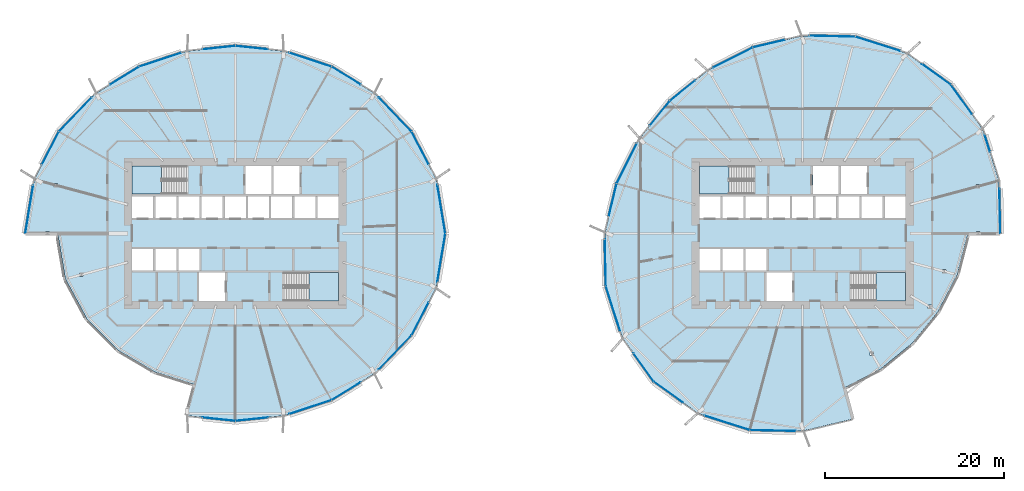
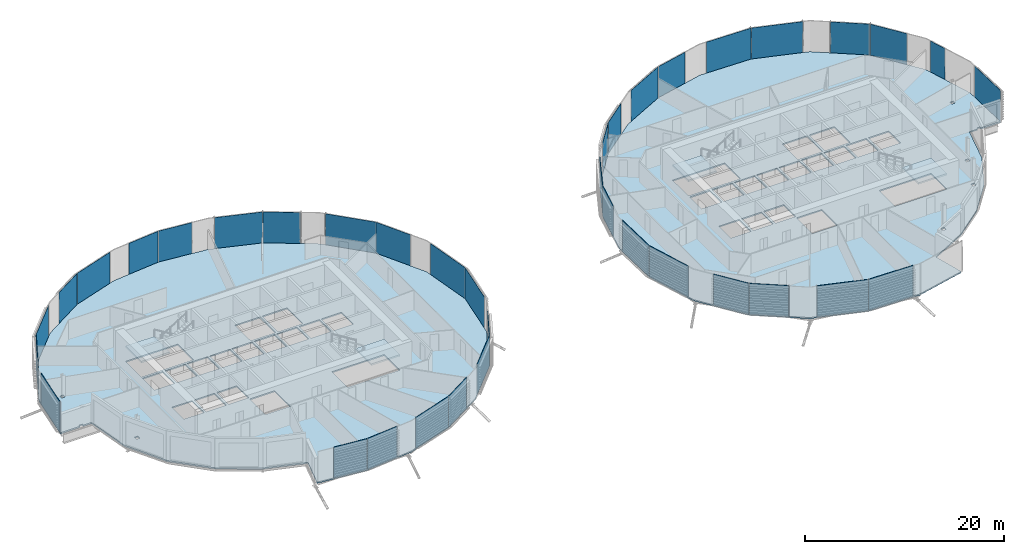
# One storey, part 19 of 38: 37 plates, 6 slabs, 6 elements without a shape of their own.
"""IFC4 building model written with IfcOpenShell, lengths in metres."""

from ifc_helpers import new_model, si_unit, direction, frame, origin, origin_2d, place, context, subcontext, project, spatial, polyline, rectangle, outline, extrude, material, layer, layer_set, type_object, element, aggregate, save


model = new_model("IFC4")

# Units and contexts
model_context = context("Model", 3, precision=1e-05, world=origin(), true_north=direction((0.0, 1.0)))
body_context = subcontext(model_context, "Body", "Model", "MODEL_VIEW")
ifc_project = project(units=[si_unit("LENGTHUNIT", "METRE"), si_unit("AREAUNIT", "SQUARE_METRE"), si_unit("VOLUMEUNIT", "CUBIC_METRE"), si_unit("PLANEANGLEUNIT", "RADIAN"), si_unit("MASSUNIT", "GRAM", prefix="KILO")], contexts=[model_context])

# Site, building, storey
site_placement = place(None, origin())
site = spatial("IfcSite", under=ifc_project, at=site_placement, CompositionType="ELEMENT")
building_placement = place(site_placement, origin())
building = spatial("IfcBuilding", under=site, at=building_placement, Name="Rimbun Link Towers", CompositionType="ELEMENT")
storey_placement = place(building_placement, frame((0.0, 0.0, 68.0)))
storey = spatial("IfcBuildingStorey", under=building, at=storey_placement, Name="L16", CompositionType="ELEMENT", Elevation=68.0)

# Slabs
ifc_material_1 = material(Name="Concrete C35/45", Category="concrete")
ifc_layer_1 = layer(ifc_material_1, 0.159912109375)
ifc_layer_set_1 = layer_set([ifc_layer_1], Name="COMPOSITE FLOOR 160")
slab_type_1 = type_object("IfcSlabType", Name="COMPOSITE FLOOR 160", PredefinedType="FLOOR", material=ifc_layer_set_1)
slab_1_placement = place(storey_placement, frame((0.0, 0.0, -0.159912109375)))
element("IfcSlab", 1, at=slab_1_placement, inside=storey, type_object=slab_type_1, Name="Floor slab T1 L16", PredefinedType="FLOOR", context=body_context, shape_type="SweptSolid", body=[
    extrude(outline(polyline([(-55.244384765625, 0.0), (-54.252685546875, 6.029541015625), (-51.47900390625, 11.390380859375), (-47.397705078125, 15.647705078125), (-42.514892578125, 18.6455078125), (-37.216552734375, 20.4013671875), (-31.75, 20.97705078125), (-26.283447265625, 20.4013671875), (-20.985107421875, 18.6455078125), (-16.102294921875, 15.647705078125), (-12.02099609375, 11.390380859375), (-9.247314453125, 6.029541015625), (-8.255615234375, 0.0), (-9.247314453125, -6.029541015625), (-12.02099609375, -11.390380859375), (-16.102294921875, -15.647705078125), (-20.985107421875, -18.6455078125), (-26.283447265625, -20.4013671875), (-31.75, -20.97705078125), (-37.216552734375, -20.4013671875), (-36.284912109375, -16.924072265625), (-40.715087890625, -15.52783203125), (-44.85205078125, -13.10205078125), (-48.361083984375, -9.590576171875), (-50.775390625, -5.097900390625), (-51.644287109375, 0.0), (-52.5751953125, 0.0), (-52.5751953125, 0.19677734375), (-52.974365234375, 0.19677734375), (-52.974365234375, 0.0), (-55.244384765625, 0.0)]), holes=[polyline([(-48.775390625, -4.812255859375), (-48.775390625, -4.418701171875), (-49.17431640625, -4.418701171875), (-49.17431640625, -4.812255859375), (-48.775390625, -4.812255859375)]), polyline([(-40.95556640625, -4.14990234375), (-40.95556640625, -1.75), (-43.300048828125, -1.75), (-43.300048828125, -4.14990234375), (-40.95556640625, -4.14990234375)]), polyline([(-38.361083984375, -4.14990234375), (-38.361083984375, -1.75), (-40.70556640625, -1.75), (-40.70556640625, -4.14990234375), (-38.361083984375, -4.14990234375)]), polyline([(-38.111083984375, -4.14990234375), (-35.7666015625, -4.14990234375), (-35.7666015625, -1.75), (-38.111083984375, -1.75), (-38.111083984375, -4.14990234375)]), polyline([(-40.95556640625, 1.75), (-40.95556640625, 4.14990234375), (-43.300048828125, 4.14990234375), (-43.300048828125, 1.75), (-40.95556640625, 1.75)]), polyline([(-38.361083984375, 1.75), (-38.361083984375, 4.14990234375), (-40.70556640625, 4.14990234375), (-40.70556640625, 1.75), (-38.361083984375, 1.75)]), polyline([(-35.7666015625, 1.75), (-35.7666015625, 4.14990234375), (-38.111083984375, 4.14990234375), (-38.111083984375, 1.75), (-35.7666015625, 1.75)]), polyline([(-52.065185546875, 5.193115234375), (-51.666259765625, 5.193115234375), (-51.666259765625, 5.5869140625), (-52.065185546875, 5.5869140625), (-52.065185546875, 5.193115234375)]), polyline([(-43.300048828125, 4.39990234375), (-37.260009765625, 4.39990234375), (-37.260009765625, 7.550048828125), (-43.300048828125, 7.550048828125), (-43.300048828125, 4.39990234375)]), polyline([(-32.89990234375, -7.550048828125), (-32.89990234375, -4.39990234375), (-35.800048828125, -4.39990234375), (-35.800048828125, -7.550048828125), (-32.89990234375, -7.550048828125)]), polyline([(-20.199951171875, -7.550048828125), (-20.199951171875, -4.39990234375), (-26.239990234375, -4.39990234375), (-26.239990234375, -7.550048828125), (-20.199951171875, -7.550048828125)]), polyline([(-33.172119140625, 1.75), (-33.172119140625, 4.14990234375), (-35.5166015625, 4.14990234375), (-35.5166015625, 1.75), (-33.172119140625, 1.75)]), polyline([(-32.922119140625, 1.75), (-30.577880859375, 1.75), (-30.577880859375, 4.14990234375), (-32.922119140625, 4.14990234375), (-32.922119140625, 1.75)]), polyline([(-30.327880859375, 1.75), (-27.9833984375, 1.75), (-27.9833984375, 4.14990234375), (-30.327880859375, 4.14990234375), (-30.327880859375, 1.75)]), polyline([(-25.388916015625, 1.75), (-25.388916015625, 4.14990234375), (-27.7333984375, 4.14990234375), (-27.7333984375, 1.75), (-25.388916015625, 1.75)]), polyline([(-22.79443359375, 1.75), (-22.79443359375, 4.14990234375), (-25.138916015625, 4.14990234375), (-25.138916015625, 1.75), (-22.79443359375, 1.75)]), polyline([(-20.199951171875, 1.75), (-20.199951171875, 4.14990234375), (-22.54443359375, 4.14990234375), (-22.54443359375, 1.75), (-20.199951171875, 1.75)]), polyline([(-30.60009765625, 4.39990234375), (-27.699951171875, 4.39990234375), (-27.699951171875, 7.550048828125), (-30.60009765625, 7.550048828125), (-30.60009765625, 4.39990234375)]), polyline([(-27.449951171875, 4.39990234375), (-24.550048828125, 4.39990234375), (-24.550048828125, 7.550048828125), (-27.449951171875, 7.550048828125), (-27.449951171875, 4.39990234375)])]), origin(), (0.0, 0.0, 1.0), 0.159912109375),
])
slab_2_placement = place(storey_placement, frame((0.0, 0.0, -0.159912109375)))
element("IfcSlab", 2, at=slab_2_placement, inside=storey, type_object=slab_type_1, Name="Floor slab T2 L16", PredefinedType="FLOOR", context=body_context, shape_type="SweptSolid", body=[
    extrude(outline(polyline([(50.279052734375, 0.0), (49.069091796875, -4.640625), (46.923583984375, -8.760498046875), (44.037353515625, -12.287353515625), (40.510498046875, -15.173583984375), (36.390625, -17.319091796875), (37.322509765625, -20.79638671875), (31.75, -22.12890625), (25.853759765625, -22.0048828125), (20.101806640625, -20.175537109375), (15.136962890625, -16.613037109375), (11.574462890625, -11.648193359375), (9.7451171875, -5.896240234375), (9.62109375, 0.0), (10.95361328125, 5.572509765625), (13.458740234375, 10.560546875), (16.9169921875, 14.8330078125), (21.189453125, 18.291259765625), (26.177490234375, 20.79638671875), (31.75, 22.12890625), (37.646240234375, 22.0048828125), (43.398193359375, 20.175537109375), (48.363037109375, 16.613037109375), (51.925537109375, 11.648193359375), (53.7548828125, 5.896240234375), (53.87890625, 0.0), (51.63525390625, 0.0), (51.63525390625, 0.19677734375), (51.236328125, 0.19677734375), (51.236328125, 0.0), (50.279052734375, 0.0)]), holes=[polyline([(30.60009765625, -7.550048828125), (30.60009765625, -4.39990234375), (27.699951171875, -4.39990234375), (27.699951171875, -7.550048828125), (30.60009765625, -7.550048828125)]), polyline([(22.54443359375, -4.14990234375), (22.54443359375, -1.75), (20.199951171875, -1.75), (20.199951171875, -4.14990234375), (22.54443359375, -4.14990234375)]), polyline([(25.138916015625, -4.14990234375), (25.138916015625, -1.75), (22.79443359375, -1.75), (22.79443359375, -4.14990234375), (25.138916015625, -4.14990234375)]), polyline([(25.388916015625, -4.14990234375), (27.7333984375, -4.14990234375), (27.7333984375, -1.75), (25.388916015625, -1.75), (25.388916015625, -4.14990234375)]), polyline([(20.199951171875, 1.75), (22.54443359375, 1.75), (22.54443359375, 4.14990234375), (20.199951171875, 4.14990234375), (20.199951171875, 1.75)]), polyline([(25.138916015625, 1.75), (25.138916015625, 4.14990234375), (22.79443359375, 4.14990234375), (22.79443359375, 1.75), (25.138916015625, 1.75)]), polyline([(25.388916015625, 1.75), (27.7333984375, 1.75), (27.7333984375, 4.14990234375), (25.388916015625, 4.14990234375), (25.388916015625, 1.75)]), polyline([(27.9833984375, 1.75), (30.327880859375, 1.75), (30.327880859375, 4.14990234375), (27.9833984375, 4.14990234375), (27.9833984375, 1.75)]), polyline([(32.922119140625, 1.75), (32.922119140625, 4.14990234375), (30.577880859375, 4.14990234375), (30.577880859375, 1.75), (32.922119140625, 1.75)]), polyline([(33.172119140625, 1.75), (35.5166015625, 1.75), (35.5166015625, 4.14990234375), (33.172119140625, 4.14990234375), (33.172119140625, 1.75)]), polyline([(20.199951171875, 4.39990234375), (26.239990234375, 4.39990234375), (26.239990234375, 7.550048828125), (20.199951171875, 7.550048828125), (20.199951171875, 4.39990234375)]), polyline([(39.717041015625, -13.650390625), (39.717041015625, -13.2568359375), (39.318115234375, -13.2568359375), (39.318115234375, -13.650390625), (39.717041015625, -13.650390625)]), polyline([(46.200439453125, -8.424560546875), (46.200439453125, -8.031005859375), (45.801513671875, -8.031005859375), (45.801513671875, -8.424560546875), (46.200439453125, -8.424560546875)]), polyline([(43.300048828125, -7.550048828125), (43.300048828125, -4.39990234375), (37.260009765625, -4.39990234375), (37.260009765625, -7.550048828125), (43.300048828125, -7.550048828125)]), polyline([(47.410400390625, -4.446533203125), (47.8095703125, -4.446533203125), (47.8095703125, -4.052978515625), (47.410400390625, -4.052978515625), (47.410400390625, -4.446533203125)]), polyline([(38.111083984375, 1.75), (38.111083984375, 4.14990234375), (35.7666015625, 4.14990234375), (35.7666015625, 1.75), (38.111083984375, 1.75)]), polyline([(38.361083984375, 1.75), (40.70556640625, 1.75), (40.70556640625, 4.14990234375), (38.361083984375, 4.14990234375), (38.361083984375, 1.75)]), polyline([(40.95556640625, 1.75), (43.300048828125, 1.75), (43.300048828125, 4.14990234375), (40.95556640625, 4.14990234375), (40.95556640625, 1.75)]), polyline([(51.56591796875, 5.059326171875), (51.56591796875, 5.452880859375), (51.166748046875, 5.452880859375), (51.166748046875, 5.059326171875), (51.56591796875, 5.059326171875)]), polyline([(32.89990234375, 4.39990234375), (35.800048828125, 4.39990234375), (35.800048828125, 7.550048828125), (32.89990234375, 7.550048828125), (32.89990234375, 4.39990234375)]), polyline([(36.050048828125, 4.39990234375), (38.949951171875, 4.39990234375), (38.949951171875, 7.550048828125), (36.050048828125, 7.550048828125), (36.050048828125, 4.39990234375)])]), origin(), (0.0, 0.0, 1.0), 0.159912109375),
])

# Curtain wall, plate
ifc_material_2 = material(Name="Aluminium 6063-T6 and low-iron glass", Category="aluminium")
curtain_wall_type = type_object("IfcCurtainWallType", Name="CW1 unitised vision wall", PredefinedType="NOTDEFINED", material=ifc_material_2)
curtain_wall_1_placement = place(storey_placement, origin())
curtain_wall_1 = element("IfcCurtainWall", 3, at=curtain_wall_1_placement, inside=storey, type_object=curtain_wall_type, Name="CW1 L16 T2", PredefinedType="NOTDEFINED")
ifc_material_3 = material(Name="Aluminium cladding, insulated panel", Category="aluminium")
ifc_layer_2 = layer(ifc_material_3, 0.028076171875)
ifc_layer_set_2 = layer_set([ifc_layer_2], Name="CW1 insulated panel Aluminium cladding 28")
plate_type_1 = type_object("IfcPlateType", Name="CW1 insulated panel Aluminium cladding 28", PredefinedType="CURTAIN_PANEL", material=ifc_layer_set_2)
plate_1_placement = place(storey_placement, frame((53.84033203125, 2.49853515625, 0.0), z_axis=(0.0, 0.0, 1.0), x_axis=(0.021059742681, -0.999778219026, 0.0)))
plate_1 = element("IfcPlate", 4, at=plate_1_placement, type_object=plate_type_1, Name="CW1 insulated panel", PredefinedType="CURTAIN_PANEL", context=body_context, shape_type="SweptSolid", body=[
    extrude(rectangle(XDim=4.95751953125, YDim=0.028076171875, at=origin_2d()), origin(), (0.0, 0.0, 1.0), 3.800048828125),
])

# Curtain wall, plates
curtain_wall_2_placement = place(storey_placement, origin())
curtain_wall_2 = element("IfcCurtainWall", 5, at=curtain_wall_2_placement, inside=storey, type_object=curtain_wall_type, Name="CW1 L16 T1", PredefinedType="NOTDEFINED")
ifc_material_4 = material(Name="Low-iron glass, laminated low-e unit", Category="glass")
ifc_layer_3 = layer(ifc_material_4, 0.028076171875)
ifc_layer_set_3 = layer_set([ifc_layer_3], Name="CW1 panel Low-iron glass 28")
plate_type_2 = type_object("IfcPlateType", Name="CW1 panel Low-iron glass 28", PredefinedType="CURTAIN_PANEL", material=ifc_layer_set_3)
plate_2_placement = place(storey_placement, frame((-8.68896484375, 2.720947265625, 0.0), z_axis=(0.0, 0.0, 1.0), x_axis=(0.162259642251, -0.986748097792, 0.0)))
plate_2 = element("IfcPlate", 6, at=plate_2_placement, type_object=plate_type_2, Name="CW1 panel", PredefinedType="CURTAIN_PANEL", context=body_context, shape_type="SweptSolid", body=[
    extrude(rectangle(XDim=5.470458984375, YDim=0.028076171875, at=origin_2d()), origin(), (0.0, 0.0, 1.0), 3.800048828125),
])
plate_3_placement = place(storey_placement, frame((-11.058349609375, 9.560302734375, 0.0), z_axis=(0.0, 0.0, 1.0), x_axis=(0.45955632125, -0.888148629228, 0.0)))
plate_3 = element("IfcPlate", 7, at=plate_3_placement, type_object=plate_type_2, Name="CW1 panel", PredefinedType="CURTAIN_PANEL", context=body_context, shape_type="SweptSolid", body=[
    extrude(rectangle(XDim=4.095947265625, YDim=0.028076171875, at=origin_2d()), origin(), (0.0, 0.0, 1.0), 3.800048828125),
])
plate_4_placement = place(storey_placement, frame((-13.843994140625, 13.312255859375, 0.0), z_axis=(0.0, 0.0, 1.0), x_axis=(0.692044930546, -0.721854427226, 0.0)))
plate_4 = element("IfcPlate", 8, at=plate_4_placement, type_object=plate_type_2, Name="CW1 panel", PredefinedType="CURTAIN_PANEL", context=body_context, shape_type="SweptSolid", body=[
    extrude(rectangle(XDim=5.257568359375, YDim=0.028076171875, at=origin_2d()), origin(), (0.0, 0.0, 1.0), 3.800048828125),
])
plate_5_placement = place(storey_placement, frame((-19.345947265625, 17.655517578125, 0.0), z_axis=(0.0, 0.0, 1.0), x_axis=(0.852185835011, -0.523239240316, 0.0)))
plate_5 = element("IfcPlate", 9, at=plate_5_placement, type_object=plate_type_2, Name="CW1 panel", PredefinedType="CURTAIN_PANEL", context=body_context, shape_type="SweptSolid", body=[
    extrude(rectangle(XDim=3.78955078125, YDim=0.028076171875, at=origin_2d()), origin(), (0.0, 0.0, 1.0), 3.800048828125),
])
plate_6_placement = place(storey_placement, frame((-23.344970703125, 19.4423828125, 0.0), z_axis=(0.0, 0.0, 1.0), x_axis=(0.949238989505, -0.314555783293, 0.0)))
plate_6 = element("IfcPlate", 10, at=plate_6_placement, type_object=plate_type_2, Name="CW1 panel", PredefinedType="CURTAIN_PANEL", context=body_context, shape_type="SweptSolid", body=[
    extrude(rectangle(XDim=4.94189453125, YDim=0.028076171875, at=origin_2d()), origin(), (0.0, 0.0, 1.0), 3.800048828125),
])
plate_7_placement = place(storey_placement, frame((-29.910400390625, 20.79736328125, 0.0), z_axis=(0.0, 0.0, 1.0), x_axis=(0.994500168315, -0.104734976112, 0.0)))
plate_7 = element("IfcPlate", 11, at=plate_7_placement, type_object=plate_type_2, Name="CW1 panel", PredefinedType="CURTAIN_PANEL", context=body_context, shape_type="SweptSolid", body=[
    extrude(rectangle(XDim=3.65673828125, YDim=0.028076171875, at=origin_2d()), origin(), (0.0, 0.0, 1.0), 3.800048828125),
])
plate_8_placement = place(storey_placement, frame((-33.589599609375, 20.79736328125, 0.0), z_axis=(0.0, 0.0, 1.0), x_axis=(0.994500168315, 0.104734976112, 0.0)))
plate_8 = element("IfcPlate", 12, at=plate_8_placement, type_object=plate_type_2, Name="CW1 panel", PredefinedType="CURTAIN_PANEL", context=body_context, shape_type="SweptSolid", body=[
    extrude(rectangle(XDim=3.65673828125, YDim=0.028076171875, at=origin_2d()), origin(), (0.0, 0.0, 1.0), 3.800048828125),
])
plate_9_placement = place(storey_placement, frame((-40.155029296875, 19.4423828125, 0.0), z_axis=(0.0, 0.0, 1.0), x_axis=(0.949238989505, 0.314555783293, 0.0)))
plate_9 = element("IfcPlate", 13, at=plate_9_placement, type_object=plate_type_2, Name="CW1 panel", PredefinedType="CURTAIN_PANEL", context=body_context, shape_type="SweptSolid", body=[
    extrude(rectangle(XDim=4.94189453125, YDim=0.028076171875, at=origin_2d()), origin(), (0.0, 0.0, 1.0), 3.800048828125),
])
plate_10_placement = place(storey_placement, frame((-44.154052734375, 17.655517578125, 0.0), z_axis=(0.0, 0.0, 1.0), x_axis=(0.852185835011, 0.523239240316, 0.0)))
plate_10 = element("IfcPlate", 14, at=plate_10_placement, type_object=plate_type_2, Name="CW1 panel", PredefinedType="CURTAIN_PANEL", context=body_context, shape_type="SweptSolid", body=[
    extrude(rectangle(XDim=3.78955078125, YDim=0.028076171875, at=origin_2d()), origin(), (0.0, 0.0, 1.0), 3.800048828125),
])
plate_11_placement = place(storey_placement, frame((-49.656005859375, 13.312255859375, 0.0), z_axis=(0.0, 0.0, 1.0), x_axis=(0.692044930546, 0.721854427226, 0.0)))
plate_11 = element("IfcPlate", 15, at=plate_11_placement, type_object=plate_type_2, Name="CW1 panel", PredefinedType="CURTAIN_PANEL", context=body_context, shape_type="SweptSolid", body=[
    extrude(rectangle(XDim=5.257568359375, YDim=0.028076171875, at=origin_2d()), origin(), (0.0, 0.0, 1.0), 3.800048828125),
])
plate_12_placement = place(storey_placement, frame((-52.453125, 9.5380859375, 0.0), z_axis=(0.0, 0.0, 1.0), x_axis=(0.45955632125, 0.888148629228, 0.0)))
plate_12 = element("IfcPlate", 16, at=plate_12_placement, type_object=plate_type_2, Name="CW1 panel", PredefinedType="CURTAIN_PANEL", context=body_context, shape_type="SweptSolid", body=[
    extrude(rectangle(XDim=4.14599609375, YDim=0.028076171875, at=origin_2d()), origin(), (0.0, 0.0, 1.0), 3.800048828125),
])
plate_13_placement = place(storey_placement, frame((-54.815185546875, 2.6962890625, 0.0), z_axis=(0.0, 0.0, 1.0), x_axis=(0.162259642251, 0.986748097792, 0.0)))
plate_13 = element("IfcPlate", 17, at=plate_13_placement, type_object=plate_type_2, Name="CW1 panel", PredefinedType="CURTAIN_PANEL", context=body_context, shape_type="SweptSolid", body=[
    extrude(rectangle(XDim=5.420654296875, YDim=0.028076171875, at=origin_2d()), origin(), (0.0, 0.0, 1.0), 3.800048828125),
])
plate_14_placement = place(storey_placement, frame((-33.589599609375, -20.79736328125, 0.0), z_axis=(0.0, 0.0, 1.0), x_axis=(-0.994500168315, 0.104734976112, 0.0)))
plate_14 = element("IfcPlate", 18, at=plate_14_placement, type_object=plate_type_2, Name="CW1 panel", PredefinedType="CURTAIN_PANEL", context=body_context, shape_type="SweptSolid", body=[
    extrude(rectangle(XDim=3.65673828125, YDim=0.028076171875, at=origin_2d()), origin(), (0.0, 0.0, 1.0), 3.800048828125),
])
plate_15_placement = place(storey_placement, frame((-29.910400390625, -20.79736328125, 0.0), z_axis=(0.0, 0.0, 1.0), x_axis=(-0.994500168315, -0.104734976112, 0.0)))
plate_15 = element("IfcPlate", 19, at=plate_15_placement, type_object=plate_type_2, Name="CW1 panel", PredefinedType="CURTAIN_PANEL", context=body_context, shape_type="SweptSolid", body=[
    extrude(rectangle(XDim=3.65673828125, YDim=0.028076171875, at=origin_2d()), origin(), (0.0, 0.0, 1.0), 3.800048828125),
])
plate_16_placement = place(storey_placement, frame((-23.344970703125, -19.4423828125, 0.0), z_axis=(0.0, 0.0, 1.0), x_axis=(-0.949238989505, -0.314555783293, 0.0)))
plate_16 = element("IfcPlate", 20, at=plate_16_placement, type_object=plate_type_2, Name="CW1 panel", PredefinedType="CURTAIN_PANEL", context=body_context, shape_type="SweptSolid", body=[
    extrude(rectangle(XDim=4.94189453125, YDim=0.028076171875, at=origin_2d()), origin(), (0.0, 0.0, 1.0), 3.800048828125),
])
plate_17_placement = place(storey_placement, frame((-19.345947265625, -17.655517578125, 0.0), z_axis=(0.0, 0.0, 1.0), x_axis=(-0.852185835011, -0.523239240316, 0.0)))
plate_17 = element("IfcPlate", 21, at=plate_17_placement, type_object=plate_type_2, Name="CW1 panel", PredefinedType="CURTAIN_PANEL", context=body_context, shape_type="SweptSolid", body=[
    extrude(rectangle(XDim=3.78955078125, YDim=0.028076171875, at=origin_2d()), origin(), (0.0, 0.0, 1.0), 3.800048828125),
])
plate_18_placement = place(storey_placement, frame((-13.843994140625, -13.312255859375, 0.0), z_axis=(0.0, 0.0, 1.0), x_axis=(-0.692044930546, -0.721854427226, 0.0)))
plate_18 = element("IfcPlate", 22, at=plate_18_placement, type_object=plate_type_2, Name="CW1 panel", PredefinedType="CURTAIN_PANEL", context=body_context, shape_type="SweptSolid", body=[
    extrude(rectangle(XDim=5.257568359375, YDim=0.028076171875, at=origin_2d()), origin(), (0.0, 0.0, 1.0), 3.800048828125),
])
plate_19_placement = place(storey_placement, frame((-11.058349609375, -9.560302734375, 0.0), z_axis=(0.0, 0.0, 1.0), x_axis=(-0.45955632125, -0.888148629228, 0.0)))
plate_19 = element("IfcPlate", 23, at=plate_19_placement, type_object=plate_type_2, Name="CW1 panel", PredefinedType="CURTAIN_PANEL", context=body_context, shape_type="SweptSolid", body=[
    extrude(rectangle(XDim=4.095947265625, YDim=0.028076171875, at=origin_2d()), origin(), (0.0, 0.0, 1.0), 3.800048828125),
])
plate_20_placement = place(storey_placement, frame((-8.68896484375, -2.720947265625, 0.0), z_axis=(0.0, 0.0, 1.0), x_axis=(-0.162259642251, -0.986748097792, 0.0)))
plate_20 = element("IfcPlate", 24, at=plate_20_placement, type_object=plate_type_2, Name="CW1 panel", PredefinedType="CURTAIN_PANEL", context=body_context, shape_type="SweptSolid", body=[
    extrude(rectangle(XDim=5.470458984375, YDim=0.028076171875, at=origin_2d()), origin(), (0.0, 0.0, 1.0), 3.800048828125),
])
aggregate(curtain_wall_2, [plate_2, plate_3, plate_4, plate_5, plate_6, plate_7, plate_8, plate_9, plate_10, plate_11, plate_12, plate_13, plate_14, plate_15, plate_16, plate_17, plate_18, plate_19, plate_20])

# Plate
plate_21_placement = place(storey_placement, frame((46.741943359375, 17.79345703125, 0.0), z_axis=(0.0, 0.0, 1.0), x_axis=(0.812471013588, -0.583001588402, 0.0)))
plate_21 = element("IfcPlate", 25, at=plate_21_placement, type_object=plate_type_2, Name="CW1 panel", PredefinedType="CURTAIN_PANEL", context=body_context, shape_type="SweptSolid", body=[
    extrude(rectangle(XDim=3.970703125, YDim=0.028076171875, at=origin_2d()), origin(), (0.0, 0.0, 1.0), 3.800048828125),
])

plate_22_placement = place(storey_placement, frame((40.19287109375, 21.20947265625, 0.0), z_axis=(0.0, 0.0, 1.0), x_axis=(0.952969504125, -0.30306620433, 0.0)))
plate_22 = element("IfcPlate", 26, at=plate_22_placement, type_object=plate_type_2, Name="CW1 panel", PredefinedType="CURTAIN_PANEL", context=body_context, shape_type="SweptSolid", body=[
    extrude(rectangle(XDim=5.2958984375, YDim=0.028076171875, at=origin_2d()), origin(), (0.0, 0.0, 1.0), 3.800048828125),
])

plate_23_placement = place(storey_placement, frame((35.0732421875, 22.072998046875, 0.0), z_axis=(0.0, 0.0, 1.0), x_axis=(0.999778219026, -0.021059742681, 0.0)))
plate_23 = element("IfcPlate", 27, at=plate_23_placement, type_object=plate_type_2, Name="CW1 panel", PredefinedType="CURTAIN_PANEL", context=body_context, shape_type="SweptSolid", body=[
    extrude(rectangle(XDim=5.107421875, YDim=0.028076171875, at=origin_2d()), origin(), (0.0, 0.0, 1.0), 3.800048828125),
])

plate_24_placement = place(storey_placement, frame((27.988037109375, 21.24365234375, 0.0), z_axis=(0.0, 0.0, 1.0), x_axis=(0.972572197016, 0.232601207201, 0.0)))
plate_24 = element("IfcPlate", 28, at=plate_24_placement, type_object=plate_type_2, Name="CW1 panel", PredefinedType="CURTAIN_PANEL", context=body_context, shape_type="SweptSolid", body=[
    extrude(rectangle(XDim=3.689453125, YDim=0.028076171875, at=origin_2d()), origin(), (0.0, 0.0, 1.0), 3.800048828125),
])

plate_25_placement = place(storey_placement, frame((23.9453125, 19.69091796875, 0.0), z_axis=(0.0, 0.0, 1.0), x_axis=(0.893641116942, 0.448782301468, 0.0)))
plate_25 = element("IfcPlate", 29, at=plate_25_placement, type_object=plate_type_2, Name="CW1 panel", PredefinedType="CURTAIN_PANEL", context=body_context, shape_type="SweptSolid", body=[
    extrude(rectangle(XDim=4.941650390625, YDim=0.028076171875, at=origin_2d()), origin(), (0.0, 0.0, 1.0), 3.800048828125),
])

plate_26_placement = place(storey_placement, frame((18.325439453125, 15.990966796875, 0.0), z_axis=(0.0, 0.0, 1.0), x_axis=(0.777279609946, 0.629155313069, 0.0)))
plate_26 = element("IfcPlate", 30, at=plate_26_placement, type_object=plate_type_2, Name="CW1 panel", PredefinedType="CURTAIN_PANEL", context=body_context, shape_type="SweptSolid", body=[
    extrude(rectangle(XDim=3.606689453125, YDim=0.028076171875, at=origin_2d()), origin(), (0.0, 0.0, 1.0), 3.800048828125),
])

plate_27_placement = place(storey_placement, frame((15.774658203125, 13.444091796875, 0.0), z_axis=(0.0, 0.0, 1.0), x_axis=(0.629155313069, 0.777279609946, 0.0)))
plate_27 = element("IfcPlate", 31, at=plate_27_placement, type_object=plate_type_2, Name="CW1 panel", PredefinedType="CURTAIN_PANEL", context=body_context, shape_type="SweptSolid", body=[
    extrude(rectangle(XDim=3.556640625, YDim=0.028076171875, at=origin_2d()), origin(), (0.0, 0.0, 1.0), 3.800048828125),
])

plate_28_placement = place(storey_placement, frame((12.0703125, 7.826904296875, 0.0), z_axis=(0.0, 0.0, 1.0), x_axis=(0.448782301468, 0.893641116942, 0.0)))
plate_28 = element("IfcPlate", 32, at=plate_28_placement, type_object=plate_type_2, Name="CW1 panel", PredefinedType="CURTAIN_PANEL", context=body_context, shape_type="SweptSolid", body=[
    extrude(rectangle(XDim=4.99169921875, YDim=0.028076171875, at=origin_2d()), origin(), (0.0, 0.0, 1.0), 3.800048828125),
])

plate_29_placement = place(storey_placement, frame((10.50048828125, 3.73779296875, 0.0), z_axis=(0.0, 0.0, 1.0), x_axis=(0.232601207201, 0.972572197016, 0.0)))
plate_29 = element("IfcPlate", 33, at=plate_29_placement, type_object=plate_type_2, Name="CW1 panel", PredefinedType="CURTAIN_PANEL", context=body_context, shape_type="SweptSolid", body=[
    extrude(rectangle(XDim=3.739501953125, YDim=0.028076171875, at=origin_2d()), origin(), (0.0, 0.0, 1.0), 3.800048828125),
])

plate_30_placement = place(storey_placement, frame((9.676025390625, -3.2734375, 0.0), z_axis=(0.0, 0.0, 1.0), x_axis=(-0.021059742681, 0.999778219026, 0.0)))
plate_30 = element("IfcPlate", 34, at=plate_30_placement, type_object=plate_type_2, Name="CW1 panel", PredefinedType="CURTAIN_PANEL", context=body_context, shape_type="SweptSolid", body=[
    extrude(rectangle(XDim=5.20751953125, YDim=0.028076171875, at=origin_2d()), origin(), (0.0, 0.0, 1.0), 3.800048828125),
])

plate_31_placement = place(storey_placement, frame((10.54052734375, -8.44287109375, 0.0), z_axis=(0.0, 0.0, 1.0), x_axis=(-0.30306620433, 0.952969504125, 0.0)))
plate_31 = element("IfcPlate", 35, at=plate_31_placement, type_object=plate_type_2, Name="CW1 panel", PredefinedType="CURTAIN_PANEL", context=body_context, shape_type="SweptSolid", body=[
    extrude(rectangle(XDim=5.2958984375, YDim=0.028076171875, at=origin_2d()), origin(), (0.0, 0.0, 1.0), 3.800048828125),
])

plate_32_placement = place(storey_placement, frame((13.97119140625, -15.01220703125, 0.0), z_axis=(0.0, 0.0, 1.0), x_axis=(-0.583001588402, 0.812471013588, 0.0)))
plate_32 = element("IfcPlate", 36, at=plate_32_placement, type_object=plate_type_2, Name="CW1 panel", PredefinedType="CURTAIN_PANEL", context=body_context, shape_type="SweptSolid", body=[
    extrude(rectangle(XDim=3.920654296875, YDim=0.028076171875, at=origin_2d()), origin(), (0.0, 0.0, 1.0), 3.800048828125),
])

plate_33_placement = place(storey_placement, frame((16.758056640625, -17.79345703125, 0.0), z_axis=(0.0, 0.0, 1.0), x_axis=(-0.812471013588, 0.583001588402, 0.0)))
plate_33 = element("IfcPlate", 37, at=plate_33_placement, type_object=plate_type_2, Name="CW1 panel", PredefinedType="CURTAIN_PANEL", context=body_context, shape_type="SweptSolid", body=[
    extrude(rectangle(XDim=3.970703125, YDim=0.028076171875, at=origin_2d()), origin(), (0.0, 0.0, 1.0), 3.800048828125),
])

plate_34_placement = place(storey_placement, frame((23.30712890625, -21.20947265625, 0.0), z_axis=(0.0, 0.0, 1.0), x_axis=(-0.952969504125, 0.30306620433, 0.0)))
plate_34 = element("IfcPlate", 38, at=plate_34_placement, type_object=plate_type_2, Name="CW1 panel", PredefinedType="CURTAIN_PANEL", context=body_context, shape_type="SweptSolid", body=[
    extrude(rectangle(XDim=5.2958984375, YDim=0.028076171875, at=origin_2d()), origin(), (0.0, 0.0, 1.0), 3.800048828125),
])

plate_35_placement = place(storey_placement, frame((28.4267578125, -22.072998046875, 0.0), z_axis=(0.0, 0.0, 1.0), x_axis=(-0.999778219026, 0.021059742681, 0.0)))
plate_35 = element("IfcPlate", 39, at=plate_35_placement, type_object=plate_type_2, Name="CW1 panel", PredefinedType="CURTAIN_PANEL", context=body_context, shape_type="SweptSolid", body=[
    extrude(rectangle(XDim=5.107421875, YDim=0.028076171875, at=origin_2d()), origin(), (0.0, 0.0, 1.0), 3.800048828125),
])

plate_36_placement = place(storey_placement, frame((52.436767578125, 10.0869140625, 0.0), z_axis=(0.0, 0.0, 1.0), x_axis=(0.30306620433, -0.952969504125, 0.0)))
plate_36 = element("IfcPlate", 40, at=plate_36_placement, type_object=plate_type_2, Name="CW1 panel", PredefinedType="CURTAIN_PANEL", context=body_context, shape_type="SweptSolid", body=[
    extrude(rectangle(XDim=1.946044921875, YDim=0.028076171875, at=origin_2d()), origin(), (0.0, 0.0, 1.0), 3.800048828125),
])

plate_37_placement = place(storey_placement, frame((49.55810546875, 14.9716796875, 0.0), z_axis=(0.0, 0.0, 1.0), x_axis=(0.583001588402, -0.812471013588, 0.0)))
plate_37 = element("IfcPlate", 41, at=plate_37_placement, type_object=plate_type_2, Name="CW1 panel", PredefinedType="CURTAIN_PANEL", context=body_context, shape_type="SweptSolid", body=[
    extrude(rectangle(XDim=4.0205078125, YDim=0.028076171875, at=origin_2d()), origin(), (0.0, 0.0, 1.0), 3.800048828125),
])

aggregate(curtain_wall_1, [plate_21, plate_22, plate_23, plate_24, plate_25, plate_26, plate_27, plate_28, plate_29, plate_30, plate_31, plate_32, plate_33, plate_34, plate_35, plate_1, plate_36, plate_37])

# Stair, slab
ifc_material_5 = material(Name="Concrete C40/50", Category="concrete")
stair_type = type_object("IfcStairType", Name="Exit stair 3800 rise", PredefinedType="HALF_TURN_STAIR", material=ifc_material_5)
stair_1_placement = place(storey_placement, origin())
stair_1 = element("IfcStair", 42, at=stair_1_placement, inside=storey, type_object=stair_type, Name="L16 EXIT STAIR A", PredefinedType="HALF_TURN_STAIR")
ifc_material_6 = material(Name="Concrete C40/50", Category="concrete")
ifc_layer_4 = layer(ifc_material_6, 0.199951171875)
ifc_layer_set_4 = layer_set([ifc_layer_4], Name="Stair landing")
slab_type_2 = type_object("IfcSlabType", Name="Stair landing", PredefinedType="LANDING", material=ifc_layer_set_4)
slab_3_placement = place(storey_placement, frame((0.0, 0.0, 1.699951171875)))
slab_3 = element("IfcSlab", 43, at=slab_3_placement, type_object=slab_type_2, Name="ST1 landing 1", PredefinedType="LANDING", context=body_context, shape_type="SweptSolid", body=[
    extrude(outline(polyline([(-40.0, 7.550048828125), (-43.300048828125, 7.550048828125), (-43.300048828125, 4.39990234375), (-40.0, 4.39990234375), (-40.0, 7.550048828125)])), origin(), (0.0, 0.0, 1.0), 0.199951171875),
])
aggregate(stair_1, [slab_3])

stair_2_placement = place(storey_placement, origin())
stair_2 = element("IfcStair", 44, at=stair_2_placement, inside=storey, type_object=stair_type, Name="L16 EXIT STAIR B", PredefinedType="HALF_TURN_STAIR")
slab_4_placement = place(storey_placement, frame((0.0, 0.0, 1.699951171875)))
slab_4 = element("IfcSlab", 45, at=slab_4_placement, type_object=slab_type_2, Name="ST2 landing 1", PredefinedType="LANDING", context=body_context, shape_type="SweptSolid", body=[
    extrude(outline(polyline([(-23.5, -7.550048828125), (-20.199951171875, -7.550048828125), (-20.199951171875, -4.39990234375), (-23.5, -4.39990234375), (-23.5, -7.550048828125)])), origin(), (0.0, 0.0, 1.0), 0.199951171875),
])
aggregate(stair_2, [slab_4])

stair_3_placement = place(storey_placement, origin())
stair_3 = element("IfcStair", 46, at=stair_3_placement, inside=storey, type_object=stair_type, Name="L16 EXIT STAIR A", PredefinedType="HALF_TURN_STAIR")
slab_5_placement = place(storey_placement, frame((0.0, 0.0, 1.699951171875)))
slab_5 = element("IfcSlab", 47, at=slab_5_placement, type_object=slab_type_2, Name="ST3 landing 1", PredefinedType="LANDING", context=body_context, shape_type="SweptSolid", body=[
    extrude(outline(polyline([(23.5, 7.550048828125), (20.199951171875, 7.550048828125), (20.199951171875, 4.39990234375), (23.5, 4.39990234375), (23.5, 7.550048828125)])), origin(), (0.0, 0.0, 1.0), 0.199951171875),
])
aggregate(stair_3, [slab_5])

stair_4_placement = place(storey_placement, origin())
stair_4 = element("IfcStair", 48, at=stair_4_placement, inside=storey, type_object=stair_type, Name="L16 EXIT STAIR B", PredefinedType="HALF_TURN_STAIR")
slab_6_placement = place(storey_placement, frame((0.0, 0.0, 1.699951171875)))
slab_6 = element("IfcSlab", 49, at=slab_6_placement, type_object=slab_type_2, Name="ST4 landing 1", PredefinedType="LANDING", context=body_context, shape_type="SweptSolid", body=[
    extrude(outline(polyline([(40.0, -7.550048828125), (43.300048828125, -7.550048828125), (43.300048828125, -4.39990234375), (40.0, -4.39990234375), (40.0, -7.550048828125)])), origin(), (0.0, 0.0, 1.0), 0.199951171875),
])
aggregate(stair_4, [slab_6])

save(model, "model.ifc")
